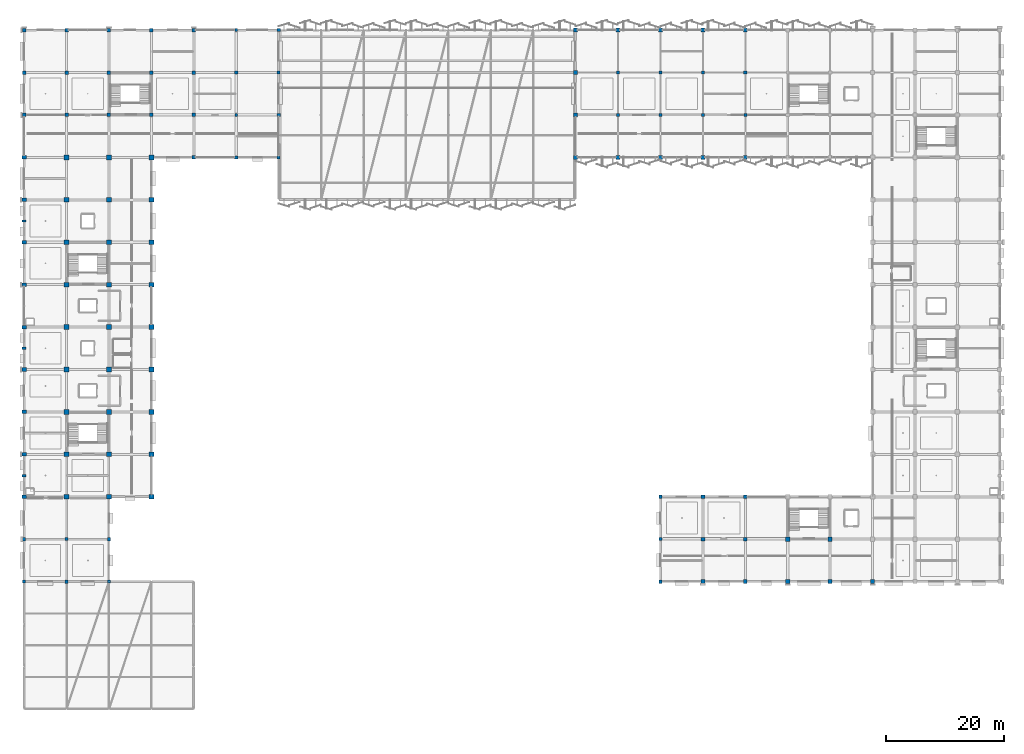
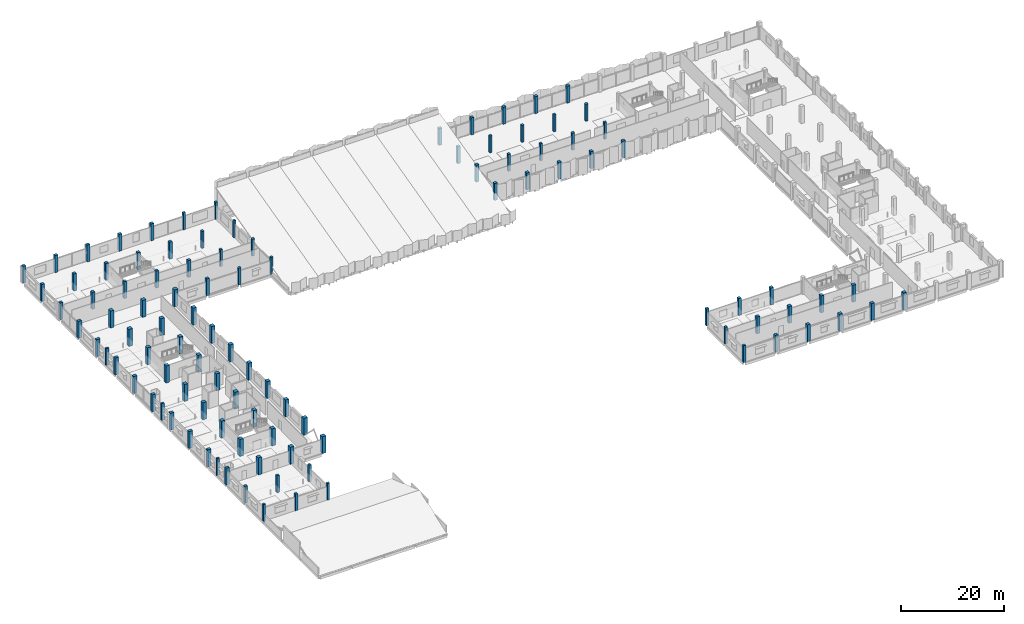
# One storey, part 1 of 108: 103 columns.
"""IFC4 building model written with IfcOpenShell, lengths in metres."""

import ifcopenshell
import ifcopenshell.guid

model = None  # the IFC model being written
_history = None  # IfcOwnerHistory: only IFC2X3 demands one
_inside = {}  # id of a spatial element -> (the spatial element, [elements in it])
_under = {}  # id of a project, library or spatial element -> (it, [spatial elements below it])
_declared = {}  # id of a project -> (the project, [libraries it declares])
_typed = {}  # id of a type object -> (the type object, [elements of that type])
_made_of = {}  # id of a material, layer set ... -> (it, [elements and type objects made of it])


def new_model(schema):
    """Start an empty IFC model of exactly this schema.

    Asked for "IFC4X3", IfcOpenShell would pick the latest addendum, in which some entities
    have other attributes; the version numbers below select the first issue.
    IFC2X3 requires an IfcOwnerHistory on every rooted entity: one is made here for all.
    """
    global model, _history
    if schema == "IFC4X3":
        model = ifcopenshell.file(schema_version=(4, 3, 0, 0))
    else:
        model = ifcopenshell.file(schema=schema)
    _inside.clear()
    _under.clear()
    _declared.clear()
    _typed.clear()
    _made_of.clear()
    _history = None
    if model.schema == "IFC2X3":
        org = make("IfcOrganization", Name="unknown")
        user = make(
            "IfcPersonAndOrganization",
            ThePerson=make("IfcPerson", FamilyName="unknown"),
            TheOrganization=org,
        )
        app = make(
            "IfcApplication",
            ApplicationDeveloper=org,
            Version="unknown",
            ApplicationFullName="unknown",
            ApplicationIdentifier="unknown",
        )
        _history = make(
            "IfcOwnerHistory",
            OwningUser=user,
            OwningApplication=app,
            ChangeAction="ADDED",
            CreationDate=0,
        )
    return model


def make(cls, **values):
    """One entity of the class cls with the attributes given. An attribute that is None is left unset."""
    return model.create_entity(
        cls, **{name: value for name, value in values.items() if value is not None}
    )


def rooted(cls, **values):
    """An entity with a GlobalId (a new one), such as an element, a storey or a relation."""
    return make(cls, GlobalId=ifcopenshell.guid.new(), OwnerHistory=_history, **values)


def si_unit(unit_type, name, prefix=None):
    """IfcSIUnit, for example si_unit("LENGTHUNIT", "METRE", prefix="MILLI")."""
    return make("IfcSIUnit", UnitType=unit_type, Prefix=prefix, Name=name)


def assignment(units):
    """IfcUnitAssignment: the units of a project."""
    return None if units is None else make("IfcUnitAssignment", Units=units)


def point(xyz):
    """IfcCartesianPoint."""
    return None if xyz is None else make("IfcCartesianPoint", Coordinates=xyz)


def direction(xyz):
    """IfcDirection."""
    return None if xyz is None else make("IfcDirection", DirectionRatios=xyz)


def frame(location, z_axis=None, x_axis=None):
    """IfcAxis2Placement3D, a coordinate frame: its origin and axes. An axis left out is left unset."""
    return make(
        "IfcAxis2Placement3D",
        Location=point(location),
        Axis=direction(z_axis),
        RefDirection=direction(x_axis),
    )


def frame_2d(location, x_axis=None):
    """IfcAxis2Placement2D, a coordinate frame in the plane: its origin and x axis."""
    return make(
        "IfcAxis2Placement2D", Location=point(location), RefDirection=direction(x_axis)
    )


def origin():
    """The frame at (0, 0, 0) with its axes left unset."""
    return frame((0.0, 0.0, 0.0))


def origin_2d():
    """The frame at (0, 0) in the plane with its x axis left unset."""
    return frame_2d((0.0, 0.0))


def place(relative_to, where):
    """IfcLocalPlacement: puts the frame where relative to a parent placement (None: the world)."""
    return make(
        "IfcLocalPlacement", PlacementRelTo=relative_to, RelativePlacement=where
    )


def context(
    kind, dimensions, precision=None, world=None, true_north=None, identifier=None
):
    """IfcGeometricRepresentationContext, for example the 3D "Model" context."""
    return make(
        "IfcGeometricRepresentationContext",
        ContextIdentifier=identifier,
        ContextType=kind,
        CoordinateSpaceDimension=dimensions,
        Precision=precision,
        WorldCoordinateSystem=world,
        TrueNorth=true_north,
    )


def subcontext(parent, identifier, kind, view, scale=None):
    """IfcGeometricRepresentationSubContext, for example "Body" below "Model"."""
    return make(
        "IfcGeometricRepresentationSubContext",
        ContextIdentifier=identifier,
        ContextType=kind,
        ParentContext=parent,
        TargetScale=scale,
        TargetView=view,
    )


def project(units=None, contexts=None):
    """IfcProject with its units and contexts."""
    return rooted(
        "IfcProject",
        Name="project",
        RepresentationContexts=contexts,
        UnitsInContext=assignment(units),
    )


def spatial(cls, under=None, at=None, **own):
    """A site, building, storey or space (cls), placed at a placement, below another one or the project."""
    s = rooted(cls, ObjectPlacement=at, **own)
    if under is not None:
        _under.setdefault(under.id(), (under, []))[1].append(s)
    return s


def profile(cls, at=None, kind="AREA", **sizes):
    """A parametric profile (cls). Its sizes go by their IFC names, for example OverallWidth=200.0."""
    return make(cls, ProfileType=kind, Position=at, **sizes)


def rectangle(**sizes):
    """IfcRectangleProfileDef."""
    return profile("IfcRectangleProfileDef", **sizes)


def extrude(swept, where, along, depth):
    """IfcExtrudedAreaSolid: the profile swept, set in the frame where, extruded along a direction by depth."""
    return make(
        "IfcExtrudedAreaSolid",
        SweptArea=swept,
        Position=where,
        ExtrudedDirection=direction(along),
        Depth=depth,
    )


def shape(context_of_items, identifier, shape_type, items):
    """IfcShapeRepresentation: the items that make up one representation, for example the "Body"."""
    return make(
        "IfcShapeRepresentation",
        ContextOfItems=context_of_items,
        RepresentationIdentifier=identifier,
        RepresentationType=shape_type,
        Items=items,
    )


def material(Name=None, Category=None):
    """IfcMaterial."""
    return make("IfcMaterial", Name=Name, Category=Category)


def material_profile(
    of_material, cross_section, Name=None, Category=None, Priority=None
):
    """IfcMaterialProfile: a cross section and its material."""
    return make(
        "IfcMaterialProfile",
        Name=Name,
        Material=of_material,
        Profile=cross_section,
        Priority=Priority,
        Category=Category,
    )


def profile_set(profiles, Name=None, composite=None):
    """IfcMaterialProfileSet."""
    return make(
        "IfcMaterialProfileSet",
        Name=Name,
        MaterialProfiles=profiles,
        CompositeProfile=composite,
    )


def made_of(thing, what):
    """Note that an element or type object is made of a material, layer set ...; save() writes the relation."""
    if what is not None:
        _made_of.setdefault(what.id(), (what, []))[1].append(thing)
    return thing


def type_object(cls, material=None, **own):
    """A type object (cls), such as IfcWallType, which elements share."""
    return made_of(rooted(cls, **own), material)


def element(
    cls,
    number,
    at=None,
    inside=None,
    cuts=None,
    type_object=None,
    material=None,
    context=None,
    identifier="Body",
    shape_type=None,
    held_by="IfcProductDefinitionShape",
    body=None,
    shapes=None,
    **own,
):
    """One element of the class cls, such as IfcWall. Its Tag is "e" and its number.

    at: its placement. inside: the storey or other place that contains it. cuts: it is an
    opening in that element (IfcRelVoidsElement). A single representation is given by context,
    identifier, shape_type and body (its items); several are given by shapes. held_by: the class
    of the entity that holds the representations. save() writes the other relations.
    """
    e = rooted(cls, Tag="e%d" % number, ObjectPlacement=at, **own)
    if body is not None:
        shapes = [shape(context, identifier, shape_type, body)]
    if shapes is not None:
        e.Representation = make(held_by, Representations=shapes)
    if inside is not None:
        _inside.setdefault(inside.id(), (inside, []))[1].append(e)
    if cuts is not None:
        rooted(
            "IfcRelVoidsElement", RelatingBuildingElement=cuts, RelatedOpeningElement=e
        )
    if type_object is not None:
        _typed.setdefault(type_object.id(), (type_object, []))[1].append(e)
    return made_of(e, material)


def aggregate(whole, parts):
    """IfcRelAggregates: a whole, such as a stair, and the parts it consists of."""
    return rooted("IfcRelAggregates", RelatingObject=whole, RelatedObjects=parts)


def save(model, path):
    """Write the relations noted so far, then the file.

    IfcRelAggregates (storeys below a building ...), IfcRelContainedInSpatialStructure (elements
    in a storey), IfcRelDefinesByType, IfcRelAssociatesMaterial and IfcRelDeclares: one each for
    every whole, place, type object, material and project.
    """
    for whole, parts in _under.values():
        aggregate(whole, parts)
    for where, things in _inside.values():
        rooted(
            "IfcRelContainedInSpatialStructure",
            RelatedElements=things,
            RelatingStructure=where,
        )
    for kind, things in _typed.values():
        rooted("IfcRelDefinesByType", RelatedObjects=things, RelatingType=kind)
    for what, things in _made_of.values():
        rooted("IfcRelAssociatesMaterial", RelatedObjects=things, RelatingMaterial=what)
    for by, libraries in _declared.values():
        rooted("IfcRelDeclares", RelatingContext=by, RelatedDefinitions=libraries)
    model.write(path)


model = new_model("IFC4")

# Units and contexts
model_context = context("Model", 3, precision=1e-05, world=origin(), true_north=direction((0.0, 1.0)))
body_context = subcontext(model_context, "Body", "Model", "MODEL_VIEW")
ifc_project = project(units=[si_unit("LENGTHUNIT", "METRE"), si_unit("AREAUNIT", "SQUARE_METRE"), si_unit("VOLUMEUNIT", "CUBIC_METRE"), si_unit("PLANEANGLEUNIT", "RADIAN"), si_unit("MASSUNIT", "GRAM", prefix="KILO")], contexts=[model_context])

# Site, building, storey
site_placement = place(None, origin())
site = spatial("IfcSite", under=ifc_project, at=site_placement, CompositionType="ELEMENT")
building_placement = place(site_placement, origin())
building = spatial("IfcBuilding", under=site, at=building_placement, Name="Kangsadwip Square Police Headquarters", CompositionType="ELEMENT")
storey_placement = place(building_placement, frame((0.0, 0.0, 9.449951171875)))
storey = spatial("IfcBuildingStorey", under=building, at=storey_placement, Name="L02", CompositionType="ELEMENT", Elevation=9.449951171875)

# Columns
ifc_material_1 = material(Name="Concrete M35 (35 MPa)", Category="concrete")
ifc_material_profile_1 = material_profile(ifc_material_1, rectangle(XDim=0.5, YDim=0.5, at=origin_2d()), Name="RC COL 500X500")
ifc_profile_set_1 = profile_set([ifc_material_profile_1], Name="Concrete M35 (35 MPa)")
column_type_1 = type_object("IfcColumnType", Name="RcCol500x500", PredefinedType="COLUMN", material=ifc_profile_set_1)
for number, where, z_axis, x_axis, name in (
    (1, (0.0, 21.60009765625, 0.0), (0.0, 0.0, 1.0), (1.0, 0.0, 0.0), "Column COL-L02-00-03"),
    (2, (7.199951171875, 28.800048828125, 0.0), (0.0, 0.0, 1.0), (1.0, 0.0, 0.0), "Column COL-L02-01-04"),
    (3, (14.39990234375, 21.60009765625, 0.0), (0.0, 0.0, 1.0), (1.0, 0.0, 0.0), "Column COL-L02-02-03"),
    (4, (36.0, 100.800048828125, 0.0), (0.0, 0.0, 1.0), (1.0, 0.0, 0.0), "Column COL-L02-05-14"),
    (5, (36.0, 115.199951171875, 0.0), (0.0, 0.0, 1.0), (1.0, 0.0, 0.0), "Column COL-L02-05-16"),
    (6, (43.199951171875, 93.60009765625, 0.0), (0.0, 0.0, 1.0), (1.0, 0.0, 0.0), "Column COL-L02-06-13"),
    (7, (43.199951171875, 108.0, 0.0), (0.0, 0.0, 1.0), (1.0, 0.0, 0.0), "Column COL-L02-06-15"),
    (8, (100.800048828125, 108.0, 0.0), (0.0, 0.0, 1.0), (1.0, 0.0, 0.0), "Column COL-L02-14-15"),
    (9, (108.0, 28.800048828125, 0.0), (0.0, 0.0, 1.0), (1.0, 0.0, 0.0), "Column COL-L02-15-04"),
    (10, (108.0, 100.800048828125, 0.0), (0.0, 0.0, 1.0), (1.0, 0.0, 0.0), "Column COL-L02-15-14"),
    (11, (115.199951171875, 108.0, 0.0), (0.0, 0.0, 1.0), (1.0, 0.0, 0.0), "Column COL-L02-16-15"),
    (12, (122.39990234375, 100.800048828125, 0.0), (0.0, 0.0, 1.0), (1.0, 0.0, 0.0), "Column COL-L02-17-14"),
):
    element("IfcColumn", number, at=place(storey_placement, frame(where, z_axis=z_axis, x_axis=x_axis)), inside=storey, type_object=column_type_1, Name=name, PredefinedType="COLUMN", context=body_context, shape_type="SweptSolid", body=[
        extrude(rectangle(XDim=0.5, YDim=0.5, at=origin_2d()), origin(), (0.0, 0.0, 1.0), 4.050048828125),
    ])
ifc_material_2 = material(Name="Concrete M35 (35 MPa)", Category="concrete")
ifc_material_profile_2 = material_profile(ifc_material_2, rectangle(XDim=0.550048828125, YDim=0.550048828125, at=origin_2d()), Name="RC COL 550X550")
ifc_profile_set_2 = profile_set([ifc_material_profile_2], Name="Concrete M35 (35 MPa)")
column_type_2 = type_object("IfcColumnType", Name="RcCol550x550", PredefinedType="COLUMN", material=ifc_profile_set_2)
for number, where, z_axis, x_axis, name in (
    (13, (0.0, 28.800048828125, 0.0), (0.0, 0.0, 1.0), (1.0, 0.0, 0.0), "Column COL-L02-00-04"),
    (14, (7.199951171875, 21.60009765625, 0.0), (0.0, 0.0, 1.0), (1.0, 0.0, 0.0), "Column COL-L02-01-03"),
    (15, (14.39990234375, 28.800048828125, 0.0), (0.0, 0.0, 1.0), (1.0, 0.0, 0.0), "Column COL-L02-02-04"),
    (16, (36.0, 93.60009765625, 0.0), (0.0, 0.0, 1.0), (1.0, 0.0, 0.0), "Column COL-L02-05-13"),
    (17, (36.0, 108.0, 0.0), (0.0, 0.0, 1.0), (1.0, 0.0, 0.0), "Column COL-L02-05-15"),
    (18, (43.199951171875, 100.800048828125, 0.0), (0.0, 0.0, 1.0), (1.0, 0.0, 0.0), "Column COL-L02-06-14"),
    (19, (43.199951171875, 115.199951171875, 0.0), (0.0, 0.0, 1.0), (1.0, 0.0, 0.0), "Column COL-L02-06-16"),
    (20, (100.800048828125, 100.800048828125, 0.0), (0.0, 0.0, 1.0), (1.0, 0.0, 0.0), "Column COL-L02-14-14"),
    (21, (108.0, 21.60009765625, 0.0), (0.0, 0.0, 1.0), (1.0, 0.0, 0.0), "Column COL-L02-15-03"),
    (22, (108.0, 36.0, 0.0), (0.0, 0.0, 1.0), (1.0, 0.0, 0.0), "Column COL-L02-15-05"),
    (23, (108.0, 108.0, 0.0), (0.0, 0.0, 1.0), (1.0, 0.0, 0.0), "Column COL-L02-15-15"),
    (24, (115.199951171875, 100.800048828125, 0.0), (0.0, 0.0, 1.0), (1.0, 0.0, 0.0), "Column COL-L02-16-14"),
    (25, (122.39990234375, 108.0, 0.0), (0.0, 0.0, 1.0), (1.0, 0.0, 0.0), "Column COL-L02-17-15"),
):
    element("IfcColumn", number, at=place(storey_placement, frame(where, z_axis=z_axis, x_axis=x_axis)), inside=storey, type_object=column_type_2, Name=name, PredefinedType="COLUMN", context=body_context, shape_type="SweptSolid", body=[
        extrude(rectangle(XDim=0.550048828125, YDim=0.550048828125, at=origin_2d()), origin(), (0.0, 0.0, 1.0), 4.050048828125),
    ])
ifc_material_3 = material(Name="Concrete M35 (35 MPa)", Category="concrete")
ifc_material_profile_3 = material_profile(ifc_material_3, rectangle(XDim=0.60009765625, YDim=0.60009765625, at=origin_2d()), Name="RC COL 600X600")
ifc_profile_set_3 = profile_set([ifc_material_profile_3], Name="Concrete M35 (35 MPa)")
column_type_3 = type_object("IfcColumnType", Name="RcCol600x600", PredefinedType="COLUMN", material=ifc_profile_set_3)
for number, where, z_axis, x_axis, name in (
    (26, (0.0, 100.800048828125, 0.0), (0.0, 0.0, 1.0), (1.0, 0.0, 0.0), "Column COL-L02-00-14"),
    (27, (0.0, 108.0, 0.0), (0.0, 0.0, 1.0), (1.0, 0.0, 0.0), "Column COL-L02-00-15"),
    (28, (0.0, 115.199951171875, 0.0), (0.0, 0.0, 1.0), (1.0, 0.0, 0.0), "Column COL-L02-00-16"),
    (29, (7.199951171875, 100.800048828125, 0.0), (0.0, 0.0, 1.0), (1.0, 0.0, 0.0), "Column COL-L02-01-14"),
    (30, (7.199951171875, 108.0, 0.0), (0.0, 0.0, 1.0), (1.0, 0.0, 0.0), "Column COL-L02-01-15"),
    (31, (7.199951171875, 115.199951171875, 0.0), (0.0, 0.0, 1.0), (1.0, 0.0, 0.0), "Column COL-L02-01-16"),
    (32, (14.39990234375, 100.800048828125, 0.0), (0.0, 0.0, 1.0), (1.0, 0.0, 0.0), "Column COL-L02-02-14"),
    (33, (14.39990234375, 108.0, 0.0), (0.0, 0.0, 1.0), (1.0, 0.0, 0.0), "Column COL-L02-02-15"),
    (34, (14.39990234375, 115.199951171875, 0.0), (0.0, 0.0, 1.0), (1.0, 0.0, 0.0), "Column COL-L02-02-16"),
    (35, (21.60009765625, 100.800048828125, 0.0), (0.0, 0.0, 1.0), (1.0, 0.0, 0.0), "Column COL-L02-03-14"),
    (36, (21.60009765625, 108.0, 0.0), (0.0, 0.0, 1.0), (1.0, 0.0, 0.0), "Column COL-L02-03-15"),
    (37, (21.60009765625, 115.199951171875, 0.0), (0.0, 0.0, 1.0), (1.0, 0.0, 0.0), "Column COL-L02-03-16"),
    (38, (28.800048828125, 93.60009765625, 0.0), (0.0, 0.0, 1.0), (1.0, 0.0, 0.0), "Column COL-L02-04-13"),
    (39, (28.800048828125, 100.800048828125, 0.0), (0.0, 0.0, 1.0), (1.0, 0.0, 0.0), "Column COL-L02-04-14"),
    (40, (28.800048828125, 108.0, 0.0), (0.0, 0.0, 1.0), (1.0, 0.0, 0.0), "Column COL-L02-04-15"),
    (41, (28.800048828125, 115.199951171875, 0.0), (0.0, 0.0, 1.0), (1.0, 0.0, 0.0), "Column COL-L02-04-16"),
):
    element("IfcColumn", number, at=place(storey_placement, frame(where, z_axis=z_axis, x_axis=x_axis)), inside=storey, type_object=column_type_3, Name=name, PredefinedType="COLUMN", context=body_context, shape_type="SweptSolid", body=[
        extrude(rectangle(XDim=0.60009765625, YDim=0.60009765625, at=origin_2d()), origin(), (0.0, 0.0, 1.0), 4.050048828125),
    ])
ifc_material_4 = material(Name="Concrete M40 (40 MPa)", Category="concrete")
ifc_material_profile_4 = material_profile(ifc_material_4, rectangle(XDim=0.64990234375, YDim=0.64990234375, at=origin_2d()), Name="RC COL 650X650")
ifc_profile_set_4 = profile_set([ifc_material_profile_4], Name="Concrete M40 (40 MPa)")
column_type_4 = type_object("IfcColumnType", Name="RcCol650x650", PredefinedType="COLUMN", material=ifc_profile_set_4)
for number, where, z_axis, x_axis, name in (
    (42, (93.60009765625, 93.60009765625, 0.0), (0.0, 0.0, 1.0), (1.0, 0.0, 0.0), "Column COL-L02-13-13"),
    (43, (93.60009765625, 100.800048828125, 0.0), (0.0, 0.0, 1.0), (1.0, 0.0, 0.0), "Column COL-L02-13-14"),
    (44, (93.60009765625, 108.0, 0.0), (0.0, 0.0, 1.0), (1.0, 0.0, 0.0), "Column COL-L02-13-15"),
    (45, (93.60009765625, 115.199951171875, 0.0), (0.0, 0.0, 1.0), (1.0, 0.0, 0.0), "Column COL-L02-13-16"),
    (46, (100.800048828125, 93.60009765625, 0.0), (0.0, 0.0, 1.0), (1.0, 0.0, 0.0), "Column COL-L02-14-13"),
    (47, (100.800048828125, 115.199951171875, 0.0), (0.0, 0.0, 1.0), (1.0, 0.0, 0.0), "Column COL-L02-14-16"),
    (48, (108.0, 93.60009765625, 0.0), (0.0, 0.0, 1.0), (1.0, 0.0, 0.0), "Column COL-L02-15-13"),
    (49, (108.0, 115.199951171875, 0.0), (0.0, 0.0, 1.0), (1.0, 0.0, 0.0), "Column COL-L02-15-16"),
    (50, (115.199951171875, 21.60009765625, 0.0), (0.0, 0.0, 1.0), (1.0, 0.0, 0.0), "Column COL-L02-16-03"),
    (51, (115.199951171875, 28.800048828125, 0.0), (0.0, 0.0, 1.0), (1.0, 0.0, 0.0), "Column COL-L02-16-04"),
    (52, (115.199951171875, 36.0, 0.0), (0.0, 0.0, 1.0), (1.0, 0.0, 0.0), "Column COL-L02-16-05"),
    (53, (115.199951171875, 93.60009765625, 0.0), (0.0, 0.0, 1.0), (1.0, 0.0, 0.0), "Column COL-L02-16-13"),
    (54, (115.199951171875, 115.199951171875, 0.0), (0.0, 0.0, 1.0), (1.0, 0.0, 0.0), "Column COL-L02-16-16"),
    (55, (122.39990234375, 21.60009765625, 0.0), (0.0, 0.0, 1.0), (1.0, 0.0, 0.0), "Column COL-L02-17-03"),
    (56, (122.39990234375, 28.800048828125, 0.0), (0.0, 0.0, 1.0), (1.0, 0.0, 0.0), "Column COL-L02-17-04"),
    (57, (122.39990234375, 36.0, 0.0), (0.0, 0.0, 1.0), (1.0, 0.0, 0.0), "Column COL-L02-17-05"),
    (58, (122.39990234375, 93.60009765625, 0.0), (0.0, 0.0, 1.0), (1.0, 0.0, 0.0), "Column COL-L02-17-13"),
    (59, (122.39990234375, 115.199951171875, 0.0), (0.0, 0.0, 1.0), (1.0, 0.0, 0.0), "Column COL-L02-17-16"),
):
    element("IfcColumn", number, at=place(storey_placement, frame(where, z_axis=z_axis, x_axis=x_axis)), inside=storey, type_object=column_type_4, Name=name, PredefinedType="COLUMN", context=body_context, shape_type="SweptSolid", body=[
        extrude(rectangle(XDim=0.64990234375, YDim=0.64990234375, at=origin_2d()), origin(), (0.0, 0.0, 1.0), 4.050048828125),
    ])
ifc_material_5 = material(Name="Concrete M40 (40 MPa)", Category="concrete")
ifc_material_profile_5 = material_profile(ifc_material_5, rectangle(XDim=0.699951171875, YDim=0.699951171875, at=origin_2d()), Name="RC COL 700X700")
ifc_profile_set_5 = profile_set([ifc_material_profile_5], Name="Concrete M40 (40 MPa)")
column_type_5 = type_object("IfcColumnType", Name="RcCol700x700", PredefinedType="COLUMN", material=ifc_profile_set_5)
for number, where, z_axis, x_axis, name in (
    (60, (129.60009765625, 21.60009765625, 0.0), (0.0, 0.0, 1.0), (1.0, 0.0, 0.0), "Column COL-L02-18-03"),
    (61, (129.60009765625, 28.800048828125, 0.0), (0.0, 0.0, 1.0), (1.0, 0.0, 0.0), "Column COL-L02-18-04"),
    (62, (136.800048828125, 21.60009765625, 0.0), (0.0, 0.0, 1.0), (1.0, 0.0, 0.0), "Column COL-L02-19-03"),
    (63, (136.800048828125, 28.800048828125, 0.0), (0.0, 0.0, 1.0), (1.0, 0.0, 0.0), "Column COL-L02-19-04"),
    (64, (144.0, 21.60009765625, 0.0), (0.0, 0.0, 1.0), (1.0, 0.0, 0.0), "Column COL-L02-20-03"),
):
    element("IfcColumn", number, at=place(storey_placement, frame(where, z_axis=z_axis, x_axis=x_axis)), inside=storey, type_object=column_type_5, Name=name, PredefinedType="COLUMN", context=body_context, shape_type="SweptSolid", body=[
        extrude(rectangle(XDim=0.699951171875, YDim=0.699951171875, at=origin_2d()), origin(), (0.0, 0.0, 1.0), 4.050048828125),
    ])
ifc_material_6 = material(Name="Concrete M40 (40 MPa)", Category="concrete")
ifc_material_profile_6 = material_profile(ifc_material_6, rectangle(XDim=0.60009765625, YDim=0.800048828125, at=origin_2d()), Name="RC COL 800X600")
ifc_profile_set_6 = profile_set([ifc_material_profile_6], Name="Concrete M40 (40 MPa)")
column_type_6 = type_object("IfcColumnType", Name="RcCol800x600", PredefinedType="COLUMN", material=ifc_profile_set_6)
for number, where, z_axis, x_axis, name in (
    (65, (0.0, 36.0, 0.0), (0.0, 0.0, 1.0), (0.0, 1.0, 0.0), "Column COL-L02-00-05"),
    (66, (0.0, 43.199951171875, 0.0), (0.0, 0.0, 1.0), (0.0, 1.0, 0.0), "Column COL-L02-00-06"),
    (67, (0.0, 50.39990234375, 0.0), (0.0, 0.0, 1.0), (0.0, 1.0, 0.0), "Column COL-L02-00-07"),
    (68, (0.0, 57.60009765625, 0.0), (0.0, 0.0, 1.0), (0.0, 1.0, 0.0), "Column COL-L02-00-08"),
    (69, (0.0, 64.800048828125, 0.0), (0.0, 0.0, 1.0), (0.0, 1.0, 0.0), "Column COL-L02-00-09"),
    (70, (0.0, 72.0, 0.0), (0.0, 0.0, 1.0), (0.0, 1.0, 0.0), "Column COL-L02-00-10"),
    (71, (0.0, 79.199951171875, 0.0), (0.0, 0.0, 1.0), (0.0, 1.0, 0.0), "Column COL-L02-00-11"),
    (72, (0.0, 86.39990234375, 0.0), (0.0, 0.0, 1.0), (0.0, 1.0, 0.0), "Column COL-L02-00-12"),
    (73, (0.0, 93.60009765625, 0.0), (0.0, 0.0, 1.0), (0.0, 1.0, 0.0), "Column COL-L02-00-13"),
):
    element("IfcColumn", number, at=place(storey_placement, frame(where, z_axis=z_axis, x_axis=x_axis)), inside=storey, type_object=column_type_6, Name=name, PredefinedType="COLUMN", context=body_context, shape_type="SweptSolid", body=[
        extrude(rectangle(XDim=0.60009765625, YDim=0.800048828125, at=origin_2d()), origin(), (0.0, 0.0, 1.0), 4.050048828125),
    ])
ifc_material_7 = material(Name="Concrete M40 (40 MPa)", Category="concrete")
ifc_material_profile_7 = material_profile(ifc_material_7, rectangle(XDim=0.800048828125, YDim=0.800048828125, at=origin_2d()), Name="RC COL 800X800")
ifc_profile_set_7 = profile_set([ifc_material_profile_7], Name="Concrete M40 (40 MPa)")
column_type_7 = type_object("IfcColumnType", Name="RcCol800x800", PredefinedType="COLUMN", material=ifc_profile_set_7)
for number, where, z_axis, x_axis, name in (
    (74, (7.199951171875, 36.0, 0.0), (0.0, 0.0, 1.0), (1.0, 0.0, 0.0), "Column COL-L02-01-05"),
    (75, (7.199951171875, 43.199951171875, 0.0), (0.0, 0.0, 1.0), (1.0, 0.0, 0.0), "Column COL-L02-01-06"),
    (76, (7.199951171875, 50.39990234375, 0.0), (0.0, 0.0, 1.0), (1.0, 0.0, 0.0), "Column COL-L02-01-07"),
    (77, (7.199951171875, 57.60009765625, 0.0), (0.0, 0.0, 1.0), (1.0, 0.0, 0.0), "Column COL-L02-01-08"),
    (78, (7.199951171875, 64.800048828125, 0.0), (0.0, 0.0, 1.0), (1.0, 0.0, 0.0), "Column COL-L02-01-09"),
    (79, (7.199951171875, 72.0, 0.0), (0.0, 0.0, 1.0), (1.0, 0.0, 0.0), "Column COL-L02-01-10"),
    (80, (7.199951171875, 79.199951171875, 0.0), (0.0, 0.0, 1.0), (1.0, 0.0, 0.0), "Column COL-L02-01-11"),
    (81, (7.199951171875, 86.39990234375, 0.0), (0.0, 0.0, 1.0), (1.0, 0.0, 0.0), "Column COL-L02-01-12"),
    (82, (7.199951171875, 93.60009765625, 0.0), (0.0, 0.0, 1.0), (1.0, 0.0, 0.0), "Column COL-L02-01-13"),
    (83, (14.39990234375, 36.0, 0.0), (0.0, 0.0, 1.0), (1.0, 0.0, 0.0), "Column COL-L02-02-05"),
    (84, (14.39990234375, 43.199951171875, 0.0), (0.0, 0.0, 1.0), (1.0, 0.0, 0.0), "Column COL-L02-02-06"),
    (85, (14.39990234375, 50.39990234375, 0.0), (0.0, 0.0, 1.0), (1.0, 0.0, 0.0), "Column COL-L02-02-07"),
    (86, (14.39990234375, 57.60009765625, 0.0), (0.0, 0.0, 1.0), (1.0, 0.0, 0.0), "Column COL-L02-02-08"),
    (87, (14.39990234375, 64.800048828125, 0.0), (0.0, 0.0, 1.0), (1.0, 0.0, 0.0), "Column COL-L02-02-09"),
    (88, (14.39990234375, 72.0, 0.0), (0.0, 0.0, 1.0), (1.0, 0.0, 0.0), "Column COL-L02-02-10"),
    (89, (14.39990234375, 79.199951171875, 0.0), (0.0, 0.0, 1.0), (1.0, 0.0, 0.0), "Column COL-L02-02-11"),
    (90, (14.39990234375, 86.39990234375, 0.0), (0.0, 0.0, 1.0), (1.0, 0.0, 0.0), "Column COL-L02-02-12"),
    (91, (14.39990234375, 93.60009765625, 0.0), (0.0, 0.0, 1.0), (1.0, 0.0, 0.0), "Column COL-L02-02-13"),
    (92, (21.60009765625, 36.0, 0.0), (0.0, 0.0, 1.0), (1.0, 0.0, 0.0), "Column COL-L02-03-05"),
    (93, (21.60009765625, 43.199951171875, 0.0), (0.0, 0.0, 1.0), (1.0, 0.0, 0.0), "Column COL-L02-03-06"),
    (94, (21.60009765625, 50.39990234375, 0.0), (0.0, 0.0, 1.0), (1.0, 0.0, 0.0), "Column COL-L02-03-07"),
    (95, (21.60009765625, 57.60009765625, 0.0), (0.0, 0.0, 1.0), (1.0, 0.0, 0.0), "Column COL-L02-03-08"),
    (96, (21.60009765625, 64.800048828125, 0.0), (0.0, 0.0, 1.0), (1.0, 0.0, 0.0), "Column COL-L02-03-09"),
    (97, (21.60009765625, 72.0, 0.0), (0.0, 0.0, 1.0), (1.0, 0.0, 0.0), "Column COL-L02-03-10"),
    (98, (21.60009765625, 79.199951171875, 0.0), (0.0, 0.0, 1.0), (1.0, 0.0, 0.0), "Column COL-L02-03-11"),
    (99, (21.60009765625, 86.39990234375, 0.0), (0.0, 0.0, 1.0), (1.0, 0.0, 0.0), "Column COL-L02-03-12"),
    (100, (21.60009765625, 93.60009765625, 0.0), (0.0, 0.0, 1.0), (1.0, 0.0, 0.0), "Column COL-L02-03-13"),
):
    element("IfcColumn", number, at=place(storey_placement, frame(where, z_axis=z_axis, x_axis=x_axis)), inside=storey, type_object=column_type_7, Name=name, PredefinedType="COLUMN", context=body_context, shape_type="SweptSolid", body=[
        extrude(rectangle(XDim=0.800048828125, YDim=0.800048828125, at=origin_2d()), origin(), (0.0, 0.0, 1.0), 4.050048828125),
    ])
ifc_material_8 = material(Name="Concrete M40 (40 MPa)", Category="concrete")
ifc_material_profile_8 = material_profile(ifc_material_8, rectangle(XDim=0.39990234375, YDim=0.64990234375, at=origin_2d()), Name="RC PIL 650X400")
ifc_profile_set_8 = profile_set([ifc_material_profile_8], Name="Concrete M40 (40 MPa)")
column_type_8 = type_object("IfcColumnType", Name="RcPil650x400", PredefinedType="PILASTER", material=ifc_profile_set_8)
for number, where, z_axis, x_axis, name in (
    (101, (0.0, 39.60009765625, 0.0), (0.0, 0.0, 1.0), (0.0, 1.0, 0.0), "Colonnade Pilaster PIL-L02-004"),
    (102, (0.0, 61.199951171875, 0.0), (0.0, 0.0, 1.0), (0.0, 1.0, 0.0), "Colonnade Pilaster PIL-L02-013"),
    (103, (0.0, 82.800048828125, 0.0), (0.0, 0.0, 1.0), (0.0, 1.0, 0.0), "Colonnade Pilaster PIL-L02-022"),
):
    element("IfcColumn", number, at=place(storey_placement, frame(where, z_axis=z_axis, x_axis=x_axis)), inside=storey, type_object=column_type_8, Name=name, PredefinedType="PILASTER", context=body_context, shape_type="SweptSolid", body=[
        extrude(rectangle(XDim=0.39990234375, YDim=0.64990234375, at=origin_2d()), origin(), (0.0, 0.0, 1.0), 4.050048828125),
    ])

save(model, "model.ifc")
